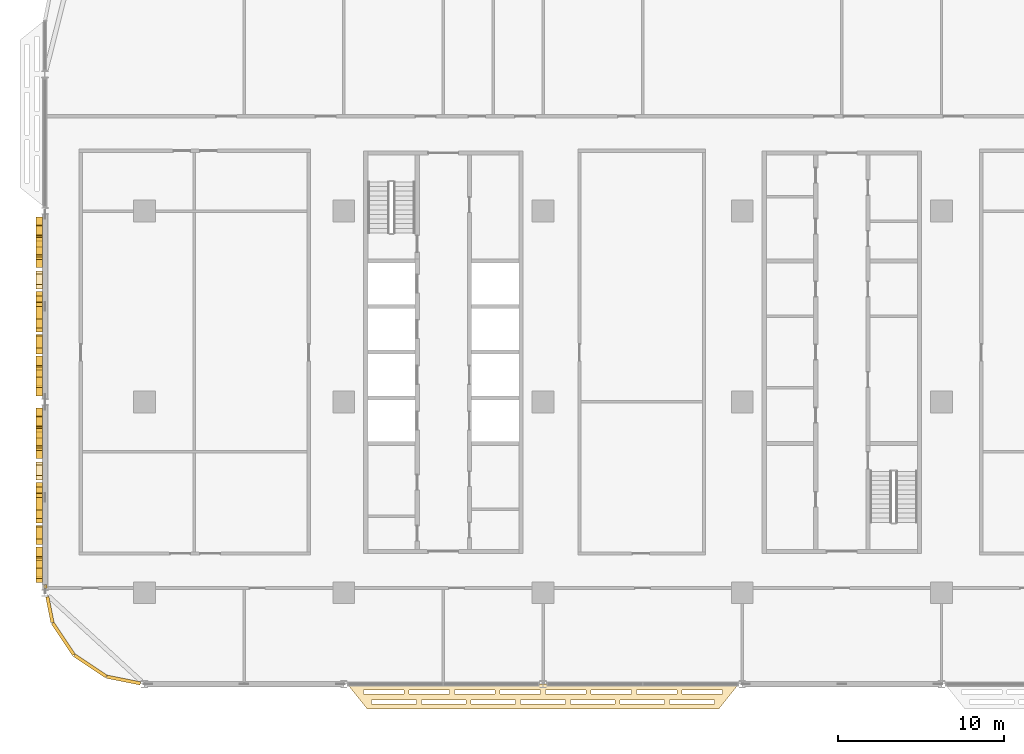
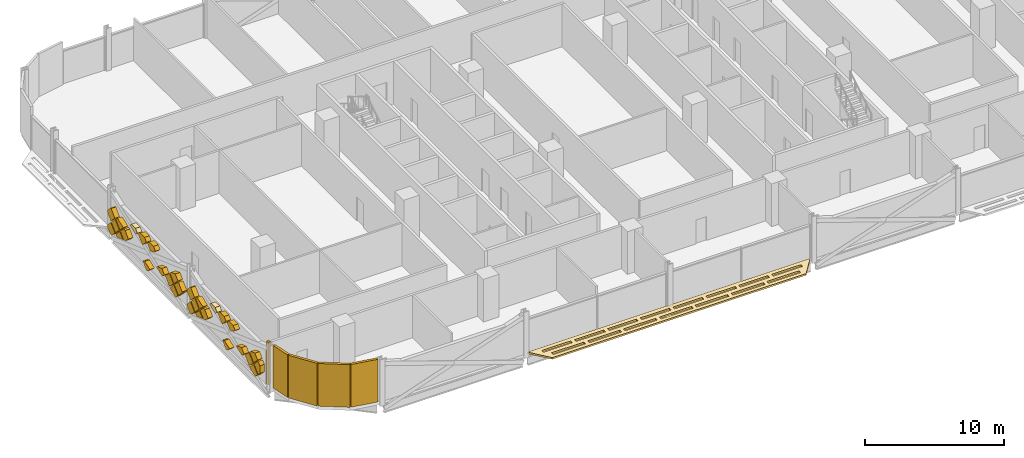
# One storey, part 25 of 29: 36 coverings.
"""IFC4 building model written with IfcOpenShell, lengths in metres."""

from ifc_helpers import new_model, si_unit, direction, frame, origin, origin_2d, place, context, subcontext, project, spatial, polyline, rectangle, outline, extrude, material, layer, layer_set, type_object, element, save


model = new_model("IFC4")

# Units and contexts
model_context = context("Model", 3, precision=1e-05, world=origin(), true_north=direction((0.0, 1.0)))
body_context = subcontext(model_context, "Body", "Model", "MODEL_VIEW")
ifc_project = project(units=[si_unit("LENGTHUNIT", "METRE"), si_unit("AREAUNIT", "SQUARE_METRE"), si_unit("VOLUMEUNIT", "CUBIC_METRE"), si_unit("PLANEANGLEUNIT", "RADIAN"), si_unit("MASSUNIT", "GRAM", prefix="KILO")], contexts=[model_context])

# Site, building, storey
site_placement = place(None, origin())
site = spatial("IfcSite", under=ifc_project, at=site_placement, CompositionType="ELEMENT")
building_placement = place(site_placement, origin())
building = spatial("IfcBuilding", under=site, at=building_placement, Name="Mahtab Terrace Research Tower", CompositionType="ELEMENT")
storey_placement = place(building_placement, frame((0.0, 0.0, 126.10009765625)))
storey = spatial("IfcBuildingStorey", under=building, at=storey_placement, Name="L29", CompositionType="ELEMENT", Elevation=126.10009765625)

# Coverings
ifc_material_1 = material(Name="Black aluminium cladding panel", Category="aluminium")
ifc_layer_1 = layer(ifc_material_1, 0.199951171875)
ifc_layer_set_1 = layer_set([ifc_layer_1], Name="Black metal corner cladding 200")
covering_type_1 = type_object("IfcCoveringType", Name="Black metal corner cladding 200", PredefinedType="CLADDING", material=ifc_layer_set_1)
covering_1_placement = place(storey_placement, frame((-47.97607421875, -11.11962890625, 0.0), z_axis=(0.0, 0.0, 1.0), x_axis=(0.195212442692, -0.980760981187, 0.0)))
element("IfcCovering", 1, at=covering_1_placement, inside=storey, type_object=covering_type_1, Name="Corner cladding L29 19", PredefinedType="CLADDING", context=body_context, shape_type="SweptSolid", body=[
    extrude(rectangle(XDim=0.22412109375, YDim=0.199951171875, at=origin_2d()), origin(), (0.0, 0.0, 1.0), 3.760009765625),
])
covering_2_placement = place(storey_placement, frame((-47.700439453125, -12.50439453125, 0.0), z_axis=(0.0, 0.0, 1.0), x_axis=(0.195212442692, -0.980760981187, 0.0)))
element("IfcCovering", 2, at=covering_2_placement, inside=storey, type_object=covering_type_1, Name="Corner cladding L29 20", PredefinedType="CLADDING", context=body_context, shape_type="SweptSolid", body=[
    extrude(rectangle(XDim=1.574462890625, YDim=0.199951171875, at=origin_2d()), origin(), (0.0, 0.0, 1.0), 3.760009765625),
])
for number, where, z_axis, x_axis, name in (
    (3, (-46.89306640625, -14.26953125, 0.0), (0.0, 0.0, 1.0), (0.555291490808, -0.831655794326, 0.0), "Corner cladding L29 21"),
    (4, (-45.26953125, -15.89306640625, 0.0), (0.0, 0.0, 1.0), (0.831655794326, -0.555291490808, 0.0), "Corner cladding L29 22"),
):
    element("IfcCovering", number, at=place(storey_placement, frame(where, z_axis=z_axis, x_axis=x_axis)), inside=storey, type_object=covering_type_1, Name=name, PredefinedType="CLADDING", context=body_context, shape_type="SweptSolid", body=[
        extrude(rectangle(XDim=2.30126953125, YDim=0.199951171875, at=origin_2d()), origin(), (0.0, 0.0, 1.0), 3.760009765625),
    ])
covering_3_placement = place(storey_placement, frame((-43.263916015625, -16.74853515625, 0.0), z_axis=(0.0, 0.0, 1.0), x_axis=(0.980760981187, -0.195212442692, 0.0)))
element("IfcCovering", 5, at=covering_3_placement, inside=storey, type_object=covering_type_1, Name="Corner cladding L29 23", PredefinedType="CLADDING", context=body_context, shape_type="SweptSolid", body=[
    extrude(rectangle(XDim=2.064697265625, YDim=0.199951171875, at=origin_2d()), origin(), (0.0, 0.0, 1.0), 3.760009765625),
])
ifc_material_2 = material(Name="Black anodised aluminium", Category="aluminium")
ifc_layer_2 = layer(ifc_material_2, 0.14990234375)
ifc_layer_set_2 = layer_set([ifc_layer_2], Name="Horizontal sunshade band")
covering_type_2 = type_object("IfcCoveringType", Name="Horizontal sunshade band", PredefinedType="CLADDING", material=ifc_layer_set_2)
covering_4_placement = place(storey_placement, frame((0.0, 0.0, -0.150146484375)))
element("IfcCovering", 6, at=covering_4_placement, inside=storey, type_object=covering_type_2, Name="Sunshade band L29 25", PredefinedType="CLADDING", context=body_context, shape_type="SweptSolid", body=[
    extrude(outline(polyline([(-29.781982421875, -17.0), (-6.218017578125, -17.0), (-7.41796875, -18.5), (-28.58203125, -18.5), (-29.781982421875, -17.0)]), holes=[polyline([(-28.802001953125, -17.35009765625), (-26.364013671875, -17.35009765625), (-26.364013671875, -17.60009765625), (-28.802001953125, -17.60009765625), (-28.802001953125, -17.35009765625)]), polyline([(-26.06396484375, -17.35009765625), (-23.6259765625, -17.35009765625), (-23.6259765625, -17.60009765625), (-26.06396484375, -17.60009765625), (-26.06396484375, -17.35009765625)]), polyline([(-23.325927734375, -17.35009765625), (-20.887939453125, -17.35009765625), (-20.887939453125, -17.60009765625), (-23.325927734375, -17.60009765625), (-23.325927734375, -17.35009765625)]), polyline([(-20.587890625, -17.35009765625), (-18.14990234375, -17.35009765625), (-18.14990234375, -17.60009765625), (-20.587890625, -17.60009765625), (-20.587890625, -17.35009765625)]), polyline([(-17.85009765625, -17.35009765625), (-15.412109375, -17.35009765625), (-15.412109375, -17.60009765625), (-17.85009765625, -17.60009765625), (-17.85009765625, -17.35009765625)]), polyline([(-15.112060546875, -17.35009765625), (-12.674072265625, -17.35009765625), (-12.674072265625, -17.60009765625), (-15.112060546875, -17.60009765625), (-15.112060546875, -17.35009765625)]), polyline([(-12.3740234375, -17.35009765625), (-9.93603515625, -17.35009765625), (-9.93603515625, -17.60009765625), (-12.3740234375, -17.60009765625), (-12.3740234375, -17.35009765625)]), polyline([(-9.635986328125, -17.35009765625), (-7.197998046875, -17.35009765625), (-7.197998046875, -17.60009765625), (-9.635986328125, -17.60009765625), (-9.635986328125, -17.35009765625)]), polyline([(-28.322021484375, -17.949951171875), (-25.6298828125, -17.949951171875), (-25.6298828125, -18.199951171875), (-28.322021484375, -18.199951171875), (-28.322021484375, -17.949951171875)]), polyline([(-25.330078125, -17.949951171875), (-22.637939453125, -17.949951171875), (-22.637939453125, -18.199951171875), (-25.330078125, -18.199951171875), (-25.330078125, -17.949951171875)]), polyline([(-22.337890625, -17.949951171875), (-19.64599609375, -17.949951171875), (-19.64599609375, -18.199951171875), (-22.337890625, -18.199951171875), (-22.337890625, -17.949951171875)]), polyline([(-19.345947265625, -17.949951171875), (-16.654052734375, -17.949951171875), (-16.654052734375, -18.199951171875), (-19.345947265625, -18.199951171875), (-19.345947265625, -17.949951171875)]), polyline([(-16.35400390625, -17.949951171875), (-13.662109375, -17.949951171875), (-13.662109375, -18.199951171875), (-16.35400390625, -18.199951171875), (-16.35400390625, -17.949951171875)]), polyline([(-13.362060546875, -17.949951171875), (-10.669921875, -17.949951171875), (-10.669921875, -18.199951171875), (-13.362060546875, -18.199951171875), (-13.362060546875, -17.949951171875)]), polyline([(-10.3701171875, -17.949951171875), (-7.677978515625, -17.949951171875), (-7.677978515625, -18.199951171875), (-10.3701171875, -18.199951171875), (-10.3701171875, -17.949951171875)])]), origin(), (0.0, 0.0, 1.0), 0.150146484375),
])
ifc_material_3 = material(Name="Bronze anodised aluminium", Category="aluminium")
ifc_layer_3 = layer(ifc_material_3, 0.39990234375)
ifc_layer_set_3 = layer_set([ifc_layer_3], Name="Mashrabiya relief panel 400")
covering_type_3 = type_object("IfcCoveringType", Name="Mashrabiya relief panel 400", PredefinedType="CLADDING", material=ifc_layer_set_3)
covering_5_placement = place(storey_placement, frame((-48.14990234375, 11.14697265625, 0.5849609375), z_axis=(1.0, 0.0, 0.0), x_axis=(0.0, 0.0, 1.0)))
element("IfcCovering", 7, at=covering_5_placement, inside=storey, type_object=covering_type_3, Name="Mashrabiya lattice cell L29 W17.1", PredefinedType="CLADDING", context=body_context, shape_type="SweptSolid", body=[
    extrude(outline(polyline([(0.0, 0.0), (0.1298828125, 0.0), (0.64501953125, 0.514892578125), (0.06494140625, 1.094970703125), (-0.376953125, 0.653076171875), (-0.448974609375, 0.448974609375), (0.0, 0.0)])), origin(), (0.0, 0.0, -1.0), 0.39990234375),
])
covering_6_placement = place(storey_placement, frame((-48.14990234375, 10.052001953125, 1.949951171875), z_axis=(1.0, 0.0, 0.0), x_axis=(0.0, 0.707106781187, -0.707106781187)))
element("IfcCovering", 8, at=covering_6_placement, inside=storey, type_object=covering_type_3, Name="Mashrabiya lattice cell L29 W17.2", PredefinedType="CLADDING", context=body_context, shape_type="SweptSolid", body=[
    extrude(outline(polyline([(0.0, 0.0), (0.8203543516109556, 0.0), (0.820181718119455, 0.7283407006411241), (0.7283407006411241, 0.820181718119455), (0.02675819118259637, 0.820181718119455), (0.0, 0.7637305663987516), (0.0, 0.0)])), origin(), (0.0, 0.0, -1.0), 0.39990234375),
])
covering_7_placement = place(storey_placement, frame((-48.14990234375, 9.98193359375, 1.8798828125), z_axis=(1.0, 0.0, 0.0), x_axis=(0.0, -0.706957932274, -0.707255598772)))
element("IfcCovering", 9, at=covering_7_placement, inside=storey, type_object=covering_type_3, Name="Mashrabiya lattice cell L29 W17.3", PredefinedType="CLADDING", context=body_context, shape_type="SweptSolid", body=[
    extrude(outline(polyline([(0.0, 0.0), (0.8201817362875763, 0.0), (0.8203543334390104, 0.8200090664636573), (0.00017266982391900276, 0.8203543334390104), (0.0, 0.0)])), origin(), (0.0, 0.0, -1.0), 0.39990234375),
])
covering_8_placement = place(storey_placement, frame((-48.14990234375, 9.912109375, 0.64990234375), z_axis=(1.0, 0.0, 0.0), x_axis=(0.0, -0.707106781187, 0.707106781187)))
element("IfcCovering", 10, at=covering_8_placement, inside=storey, type_object=covering_type_3, Name="Mashrabiya lattice cell L29 W17.4", PredefinedType="CLADDING", context=body_context, shape_type="SweptSolid", body=[
    extrude(outline(polyline([(0.0, 0.0), (0.8203543516109556, 0.0), (0.8203543516109556, 0.6335649138072826), (0.0, 0.24479429094788194), (0.0, 0.0)])), origin(), (0.0, 0.0, -1.0), 0.39990234375),
])
covering_9_placement = place(storey_placement, frame((-48.14990234375, 9.33203125, 1.369873046875), z_axis=(1.0, 0.0, 0.0), x_axis=(0.0, 0.707106781187, 0.707106781187)))
element("IfcCovering", 11, at=covering_9_placement, inside=storey, type_object=covering_type_3, Name="Mashrabiya lattice cell L29 W17.5", PredefinedType="CLADDING", context=body_context, shape_type="SweptSolid", body=[
    extrude(outline(polyline([(0.0, 0.0), (0.8203543516109556, 0.0), (0.8203543516109556, 0.3097044837521158), (0.0, 0.6988203735945178), (0.0, 0.0)])), origin(), (0.0, 0.0, -1.0), 0.39990234375),
])
covering_10_placement = place(storey_placement, frame((-48.14990234375, 9.261962890625, 1.2998046875), z_axis=(1.0, 0.0, 0.0), x_axis=(0.0, -0.707106781187, 0.707106781187)))
element("IfcCovering", 12, at=covering_10_placement, inside=storey, type_object=covering_type_3, Name="Mashrabiya lattice cell L29 W17.6", PredefinedType="CLADDING", context=body_context, shape_type="SweptSolid", body=[
    extrude(outline(polyline([(0.0, 0.0), (0.7468124842316907, 0.0), (0.8201817181194551, 0.15692384377406537), (0.820181718119455, 0.820181718119455), (0.29572117094056544, 0.8201817181194551), (0.0, 0.6801759565124506), (0.0, 0.0)])), origin(), (0.0, 0.0, -1.0), 0.39990234375),
])
covering_11_placement = place(storey_placement, frame((-48.14990234375, 6.802001953125, 2.599853515625), z_axis=(1.0, 0.0, 0.0), x_axis=(0.0, 0.707106781187, -0.707106781187)))
element("IfcCovering", 13, at=covering_11_placement, inside=storey, type_object=covering_type_3, Name="Mashrabiya lattice cell L29 W17.7", PredefinedType="CLADDING", context=body_context, shape_type="SweptSolid", body=[
    extrude(outline(polyline([(0.0, 0.0), (0.3393974442902228, 0.0), (0.7283407006411241, 0.820181718119455), (0.4412512042755897, 0.8203543516109556), (0.0, 0.3791031473353658), (0.0, 0.0)])), origin(), (0.0, 0.0, -1.0), 0.39990234375),
])
covering_12_placement = place(storey_placement, frame((-48.14990234375, 5.501953125, 2.599853515625), z_axis=(1.0, 0.0, 0.0), x_axis=(0.0, 0.707255598772, -0.706957932274)))
element("IfcCovering", 14, at=covering_12_placement, inside=storey, type_object=covering_type_3, Name="Mashrabiya lattice cell L29 W17.8", PredefinedType="CLADDING", context=body_context, shape_type="SweptSolid", body=[
    extrude(outline(polyline([(0.0, 0.0), (0.8201817362875763, 0.0), (0.8205270032629295, 0.8201816636150915), (0.4414238643252049, 0.8202614580034177), (7.979438832619867e-05, 0.3791031389377245), (0.0, 0.0)])), origin(), (0.0, 0.0, -1.0), 0.39990234375),
])
covering_13_placement = place(storey_placement, frame((-48.14990234375, 6.011962890625, 0.64990234375), z_axis=(1.0, 0.0, 0.0), x_axis=(0.0, -0.707106781187, 0.707106781187)))
element("IfcCovering", 15, at=covering_13_placement, inside=storey, type_object=covering_type_3, Name="Mashrabiya lattice cell L29 W17.9", PredefinedType="CLADDING", context=body_context, shape_type="SweptSolid", body=[
    extrude(outline(polyline([(0.0, 0.0), (0.04384890684115798, 0.0), (0.26585557691095785, 0.10461589584937693), (0.6052530212011806, 0.8203543516109555), (0.0920136509698315, 0.820181718119455), (0.0, 0.7281680671496235), (0.0, 0.0)])), origin(), (0.0, 0.0, -1.0), 0.39990234375),
])
covering_14_placement = place(storey_placement, frame((-48.14990234375, 5.362060546875, 2.599853515625), z_axis=(1.0, 0.0, 0.0), x_axis=(0.0, -0.707106781187, 0.707106781187)))
element("IfcCovering", 16, at=covering_14_placement, inside=storey, type_object=covering_type_3, Name="Mashrabiya lattice cell L29 W17.10", PredefinedType="CLADDING", context=body_context, shape_type="SweptSolid", body=[
    extrude(outline(polyline([(0.0, 0.0), (0.3791031473353658, 0.0), (0.8203543516109556, 0.4412512042755897), (0.8203543516109556, 0.8203543516109556), (0.49355915220027813, 0.820181718119455), (0.0, 0.5855728031701097), (0.0, 0.0)])), origin(), (0.0, 0.0, -1.0), 0.39990234375),
])
covering_15_placement = place(storey_placement, frame((-48.14990234375, 4.06201171875, 1.2998046875), z_axis=(1.0, 0.0, 0.0), x_axis=(0.0, -0.707106781187, 0.707106781187)))
element("IfcCovering", 17, at=covering_15_placement, inside=storey, type_object=covering_type_3, Name="Mashrabiya lattice cell L29 W17.11", PredefinedType="CLADDING", context=body_context, shape_type="SweptSolid", body=[
    extrude(outline(polyline([(0.0, 0.0), (0.14432159889451995, 0.0), (0.8203543516109555, 0.3210982941911568), (0.820181718119455, 0.820181718119455), (0.38618112048689135, 0.820181718119455), (0.0, 0.0)])), origin(), (0.0, 0.0, -1.0), 0.39990234375),
])
covering_16_placement = place(storey_placement, frame((-48.14990234375, 2.181884765625, 1.8798828125), z_axis=(1.0, 0.0, 0.0), x_axis=(0.0, -0.706957932274, -0.707255598772)))
element("IfcCovering", 18, at=covering_16_placement, inside=storey, type_object=covering_type_3, Name="Mashrabiya lattice cell L29 W17.12", PredefinedType="CLADDING", context=body_context, shape_type="SweptSolid", body=[
    extrude(outline(polyline([(0.0, 0.0), (0.8201817362875763, 0.0), (0.8203543334390104, 0.8200090664636573), (0.00017266982391900276, 0.8203543334390104), (0.0, 0.0)])), origin(), (0.0, 0.0, -1.0), 0.39990234375),
])
covering_17_placement = place(storey_placement, frame((-48.14990234375, 2.112060546875, 0.64990234375), z_axis=(1.0, 0.0, 0.0), x_axis=(0.0, -0.707106781187, 0.707106781187)))
element("IfcCovering", 19, at=covering_17_placement, inside=storey, type_object=covering_type_3, Name="Mashrabiya lattice cell L29 W17.13", PredefinedType="CLADDING", context=body_context, shape_type="SweptSolid", body=[
    extrude(outline(polyline([(0.0, 0.0), (0.8203543516109556, 0.0), (0.8203543516109556, 0.8203543516109556), (0.3393974442902227, 0.8203543516109555), (0.0, 0.10461589584937692), (0.0, 0.0)])), origin(), (0.0, 0.0, -1.0), 0.39990234375),
])
covering_18_placement = place(storey_placement, frame((-48.14990234375, 0.951904296875, 1.949951171875), z_axis=(1.0, 0.0, 0.0), x_axis=(0.0, 0.707106781187, -0.707106781187)))
element("IfcCovering", 20, at=covering_18_placement, inside=storey, type_object=covering_type_3, Name="Mashrabiya lattice cell L29 W17.14", PredefinedType="CLADDING", context=body_context, shape_type="SweptSolid", body=[
    extrude(outline(polyline([(0.0, 0.0), (0.8203543516109556, 0.0), (0.8203543516109556, 0.8203543516109556), (0.5771137620865793, 0.820181718119455), (0.0, 0.5458671001249666), (0.0, 0.0)])), origin(), (0.0, 0.0, -1.0), 0.39990234375),
])
covering_19_placement = place(storey_placement, frame((-48.14990234375, 0.882080078125, 0.719970703125), z_axis=(1.0, 0.0, 0.0), x_axis=(0.0, 0.707106781187, 0.707106781187)))
element("IfcCovering", 21, at=covering_19_placement, inside=storey, type_object=covering_type_3, Name="Mashrabiya lattice cell L29 W17.15", PredefinedType="CLADDING", context=body_context, shape_type="SweptSolid", body=[
    extrude(outline(polyline([(0.0, 0.0), (0.8200090846279543, 0.0), (0.820181718119455, 0.820181718119455), (0.07198816595575935, 0.8201817181194551), (0.0, 0.7481935521636957), (0.0, 0.0)])), origin(), (0.0, 0.0, -1.0), 0.39990234375),
])
covering_20_placement = place(storey_placement, frame((-48.14990234375, -0.35302734375, 0.5849609375), z_axis=(1.0, 0.0, 0.0), x_axis=(0.0, 0.0, 1.0)))
element("IfcCovering", 22, at=covering_20_placement, inside=storey, type_object=covering_type_3, Name="Mashrabiya lattice cell L29 W18.1", PredefinedType="CLADDING", context=body_context, shape_type="SweptSolid", body=[
    extrude(outline(polyline([(0.0, 0.0), (0.1298828125, 0.0), (0.64501953125, 0.514892578125), (0.06494140625, 1.094970703125), (-0.376953125, 0.653076171875), (-0.448974609375, 0.448974609375), (0.0, 0.0)])), origin(), (0.0, 0.0, -1.0), 0.39990234375),
])
covering_21_placement = place(storey_placement, frame((-48.14990234375, -1.447998046875, 1.949951171875), z_axis=(1.0, 0.0, 0.0), x_axis=(0.0, 0.707106781187, -0.707106781187)))
element("IfcCovering", 23, at=covering_21_placement, inside=storey, type_object=covering_type_3, Name="Mashrabiya lattice cell L29 W18.2", PredefinedType="CLADDING", context=body_context, shape_type="SweptSolid", body=[
    extrude(outline(polyline([(0.0, 0.0), (0.8203543516109556, 0.0), (0.820181718119455, 0.7283407006411241), (0.7283407006411241, 0.820181718119455), (0.02675819118259637, 0.820181718119455), (0.0, 0.7637305663987516), (0.0, 0.0)])), origin(), (0.0, 0.0, -1.0), 0.39990234375),
])
covering_22_placement = place(storey_placement, frame((-48.14990234375, -1.51806640625, 1.8798828125), z_axis=(1.0, 0.0, 0.0), x_axis=(0.0, -0.706957932274, -0.707255598772)))
element("IfcCovering", 24, at=covering_22_placement, inside=storey, type_object=covering_type_3, Name="Mashrabiya lattice cell L29 W18.3", PredefinedType="CLADDING", context=body_context, shape_type="SweptSolid", body=[
    extrude(outline(polyline([(0.0, 0.0), (0.8201817362875763, 0.0), (0.8203543334390104, 0.8200090664636573), (0.00017266982391900276, 0.8203543334390104), (0.0, 0.0)])), origin(), (0.0, 0.0, -1.0), 0.39990234375),
])
covering_23_placement = place(storey_placement, frame((-48.14990234375, -1.587890625, 0.64990234375), z_axis=(1.0, 0.0, 0.0), x_axis=(0.0, -0.707106781187, 0.707106781187)))
element("IfcCovering", 25, at=covering_23_placement, inside=storey, type_object=covering_type_3, Name="Mashrabiya lattice cell L29 W18.4", PredefinedType="CLADDING", context=body_context, shape_type="SweptSolid", body=[
    extrude(outline(polyline([(0.0, 0.0), (0.8203543516109556, 0.0), (0.8203543516109556, 0.6335649138072826), (0.0, 0.24479429094788194), (0.0, 0.0)])), origin(), (0.0, 0.0, -1.0), 0.39990234375),
])
covering_24_placement = place(storey_placement, frame((-48.14990234375, -2.16796875, 1.369873046875), z_axis=(1.0, 0.0, 0.0), x_axis=(0.0, 0.707106781187, 0.707106781187)))
element("IfcCovering", 26, at=covering_24_placement, inside=storey, type_object=covering_type_3, Name="Mashrabiya lattice cell L29 W18.5", PredefinedType="CLADDING", context=body_context, shape_type="SweptSolid", body=[
    extrude(outline(polyline([(0.0, 0.0), (0.8203543516109556, 0.0), (0.8203543516109556, 0.3097044837521158), (0.0, 0.6988203735945178), (0.0, 0.0)])), origin(), (0.0, 0.0, -1.0), 0.39990234375),
])
covering_25_placement = place(storey_placement, frame((-48.14990234375, -2.238037109375, 1.2998046875), z_axis=(1.0, 0.0, 0.0), x_axis=(0.0, -0.707106781187, 0.707106781187)))
element("IfcCovering", 27, at=covering_25_placement, inside=storey, type_object=covering_type_3, Name="Mashrabiya lattice cell L29 W18.6", PredefinedType="CLADDING", context=body_context, shape_type="SweptSolid", body=[
    extrude(outline(polyline([(0.0, 0.0), (0.7468124842316907, 0.0), (0.8201817181194551, 0.15692384377406537), (0.820181718119455, 0.820181718119455), (0.29572117094056544, 0.8201817181194551), (0.0, 0.6801759565124506), (0.0, 0.0)])), origin(), (0.0, 0.0, -1.0), 0.39990234375),
])
covering_26_placement = place(storey_placement, frame((-48.14990234375, -4.697998046875, 2.599853515625), z_axis=(1.0, 0.0, 0.0), x_axis=(0.0, 0.707106781187, -0.707106781187)))
element("IfcCovering", 28, at=covering_26_placement, inside=storey, type_object=covering_type_3, Name="Mashrabiya lattice cell L29 W18.7", PredefinedType="CLADDING", context=body_context, shape_type="SweptSolid", body=[
    extrude(outline(polyline([(0.0, 0.0), (0.3393974442902228, 0.0), (0.7283407006411241, 0.820181718119455), (0.4412512042755897, 0.8203543516109556), (0.0, 0.3791031473353658), (0.0, 0.0)])), origin(), (0.0, 0.0, -1.0), 0.39990234375),
])
covering_27_placement = place(storey_placement, frame((-48.14990234375, -5.998046875, 2.599853515625), z_axis=(1.0, 0.0, 0.0), x_axis=(0.0, 0.707255598772, -0.706957932274)))
element("IfcCovering", 29, at=covering_27_placement, inside=storey, type_object=covering_type_3, Name="Mashrabiya lattice cell L29 W18.8", PredefinedType="CLADDING", context=body_context, shape_type="SweptSolid", body=[
    extrude(outline(polyline([(0.0, 0.0), (0.8201817362875763, 0.0), (0.8205270032629295, 0.8201816636150915), (0.4414238643252049, 0.8202614580034177), (7.979438832619867e-05, 0.3791031389377245), (0.0, 0.0)])), origin(), (0.0, 0.0, -1.0), 0.39990234375),
])
covering_28_placement = place(storey_placement, frame((-48.14990234375, -5.488037109375, 0.64990234375), z_axis=(1.0, 0.0, 0.0), x_axis=(0.0, -0.707106781187, 0.707106781187)))
element("IfcCovering", 30, at=covering_28_placement, inside=storey, type_object=covering_type_3, Name="Mashrabiya lattice cell L29 W18.9", PredefinedType="CLADDING", context=body_context, shape_type="SweptSolid", body=[
    extrude(outline(polyline([(0.0, 0.0), (0.04384890684115798, 0.0), (0.26585557691095785, 0.10461589584937693), (0.6052530212011806, 0.8203543516109555), (0.0920136509698315, 0.820181718119455), (0.0, 0.7281680671496235), (0.0, 0.0)])), origin(), (0.0, 0.0, -1.0), 0.39990234375),
])
covering_29_placement = place(storey_placement, frame((-48.14990234375, -6.137939453125, 2.599853515625), z_axis=(1.0, 0.0, 0.0), x_axis=(0.0, -0.707106781187, 0.707106781187)))
element("IfcCovering", 31, at=covering_29_placement, inside=storey, type_object=covering_type_3, Name="Mashrabiya lattice cell L29 W18.10", PredefinedType="CLADDING", context=body_context, shape_type="SweptSolid", body=[
    extrude(outline(polyline([(0.0, 0.0), (0.3791031473353658, 0.0), (0.8203543516109556, 0.4412512042755897), (0.8203543516109556, 0.8203543516109556), (0.49355915220027813, 0.820181718119455), (0.0, 0.5855728031701097), (0.0, 0.0)])), origin(), (0.0, 0.0, -1.0), 0.39990234375),
])
covering_30_placement = place(storey_placement, frame((-48.14990234375, -7.43798828125, 1.2998046875), z_axis=(1.0, 0.0, 0.0), x_axis=(0.0, -0.707106781187, 0.707106781187)))
element("IfcCovering", 32, at=covering_30_placement, inside=storey, type_object=covering_type_3, Name="Mashrabiya lattice cell L29 W18.11", PredefinedType="CLADDING", context=body_context, shape_type="SweptSolid", body=[
    extrude(outline(polyline([(0.0, 0.0), (0.14432159889451995, 0.0), (0.8203543516109555, 0.3210982941911568), (0.820181718119455, 0.820181718119455), (0.38618112048689135, 0.820181718119455), (0.0, 0.0)])), origin(), (0.0, 0.0, -1.0), 0.39990234375),
])
covering_31_placement = place(storey_placement, frame((-48.14990234375, -9.318115234375, 1.8798828125), z_axis=(1.0, 0.0, 0.0), x_axis=(0.0, -0.706957932274, -0.707255598772)))
element("IfcCovering", 33, at=covering_31_placement, inside=storey, type_object=covering_type_3, Name="Mashrabiya lattice cell L29 W18.12", PredefinedType="CLADDING", context=body_context, shape_type="SweptSolid", body=[
    extrude(outline(polyline([(0.0, 0.0), (0.8201817362875763, 0.0), (0.8203543334390104, 0.8200090664636573), (0.00017266982391900276, 0.8203543334390104), (0.0, 0.0)])), origin(), (0.0, 0.0, -1.0), 0.39990234375),
])
covering_32_placement = place(storey_placement, frame((-48.14990234375, -9.387939453125, 0.64990234375), z_axis=(1.0, 0.0, 0.0), x_axis=(0.0, -0.707106781187, 0.707106781187)))
element("IfcCovering", 34, at=covering_32_placement, inside=storey, type_object=covering_type_3, Name="Mashrabiya lattice cell L29 W18.13", PredefinedType="CLADDING", context=body_context, shape_type="SweptSolid", body=[
    extrude(outline(polyline([(0.0, 0.0), (0.8203543516109556, 0.0), (0.8203543516109556, 0.8203543516109556), (0.3393974442902227, 0.8203543516109555), (0.0, 0.10461589584937692), (0.0, 0.0)])), origin(), (0.0, 0.0, -1.0), 0.39990234375),
])
covering_33_placement = place(storey_placement, frame((-48.14990234375, -10.548095703125, 1.949951171875), z_axis=(1.0, 0.0, 0.0), x_axis=(0.0, 0.707106781187, -0.707106781187)))
element("IfcCovering", 35, at=covering_33_placement, inside=storey, type_object=covering_type_3, Name="Mashrabiya lattice cell L29 W18.14", PredefinedType="CLADDING", context=body_context, shape_type="SweptSolid", body=[
    extrude(outline(polyline([(0.0, 0.0), (0.8203543516109556, 0.0), (0.8203543516109556, 0.8203543516109556), (0.5771137620865793, 0.820181718119455), (0.0, 0.5458671001249666), (0.0, 0.0)])), origin(), (0.0, 0.0, -1.0), 0.39990234375),
])
covering_34_placement = place(storey_placement, frame((-48.14990234375, -10.617919921875, 0.719970703125), z_axis=(1.0, 0.0, 0.0), x_axis=(0.0, 0.707106781187, 0.707106781187)))
element("IfcCovering", 36, at=covering_34_placement, inside=storey, type_object=covering_type_3, Name="Mashrabiya lattice cell L29 W18.15", PredefinedType="CLADDING", context=body_context, shape_type="SweptSolid", body=[
    extrude(outline(polyline([(0.0, 0.0), (0.8200090846279543, 0.0), (0.820181718119455, 0.820181718119455), (0.4707715313221961, 0.8201817181194551), (-0.00017263349150062335, 0.34923755330575823), (0.0, 0.0)])), origin(), (0.0, 0.0, -1.0), 0.39990234375),
])

save(model, "model.ifc")
